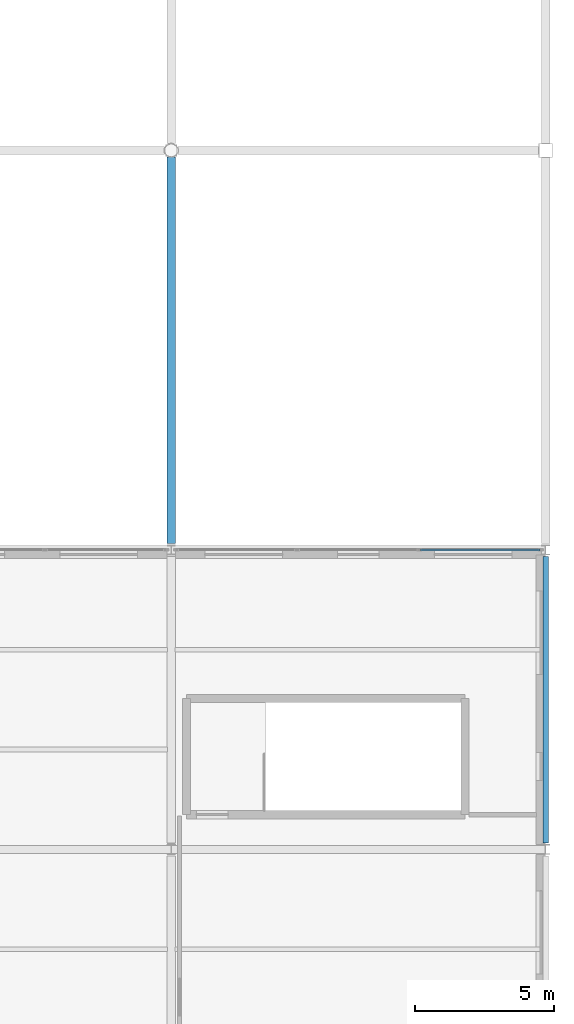
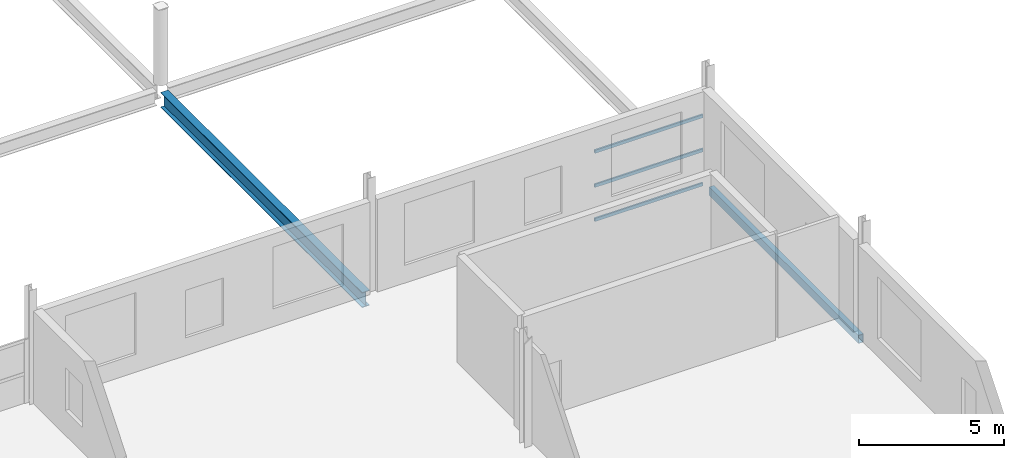
# One storey, part 93 of 134: 3 members, 2 beams, 1 element without a shape of its own.
"""IFC4 building model written with IfcOpenShell, lengths in metres."""

from ifc_helpers import new_model, si_unit, direction, frame, origin, origin_2d, place, context, subcontext, project, spatial, hollow_rectangle, i_section, extrude, material, layer, layer_set, material_profile, profile_set, type_object, element, aggregate, save


model = new_model("IFC4")

# Units and contexts
model_context = context("Model", 3, precision=1e-05, world=origin(), true_north=direction((0.0, 1.0)))
body_context = subcontext(model_context, "Body", "Model", "MODEL_VIEW")
ifc_project = project(units=[si_unit("LENGTHUNIT", "METRE"), si_unit("AREAUNIT", "SQUARE_METRE"), si_unit("VOLUMEUNIT", "CUBIC_METRE"), si_unit("PLANEANGLEUNIT", "RADIAN"), si_unit("MASSUNIT", "GRAM", prefix="KILO")], contexts=[model_context])

# Site, building, storey
site_placement = place(None, origin())
site = spatial("IfcSite", under=ifc_project, at=site_placement, CompositionType="ELEMENT")
building_placement = place(site_placement, origin())
building = spatial("IfcBuilding", under=site, at=building_placement, Name="Tamarisk Ironworks Central Station", CompositionType="ELEMENT")
storey_placement = place(building_placement, frame((0.0, 0.0, 12.60009765625)))
storey = spatial("IfcBuildingStorey", under=building, at=storey_placement, Name="L02", CompositionType="ELEMENT", Elevation=12.60009765625)

# Beams
ifc_material_1 = material(Name="Structural steel S355J2", Category="steel")
ifc_material_profile_1 = material_profile(ifc_material_1, i_section(OverallWidth=0.300048828125, OverallDepth=0.639892578125, WebThickness=0.013427734375, FlangeThickness=0.02587890625, at=origin_2d()), Name="HEA 650")
ifc_profile_set_1 = profile_set([ifc_material_profile_1], Name="Structural steel S355J2")
beam_type_1 = type_object("IfcBeamType", Name="BM-G02", PredefinedType="BEAM", material=ifc_profile_set_1)
beam_1_placement = place(storey_placement, frame((166.5, 21.837890625, -0.570068359375), z_axis=(0.0, 1.0, 0.0), x_axis=(-1.0, 0.0, 0.0)))
element("IfcBeam", 1, at=beam_1_placement, inside=storey, type_object=beam_type_1, Name="L02 primary girder Y-0523", PredefinedType="BEAM", context=body_context, shape_type="SweptSolid", body=[
    extrude(i_section(OverallWidth=0.300048828125, OverallDepth=0.639892578125, WebThickness=0.013427734375, FlangeThickness=0.02587890625, at=origin_2d()), origin(), (0.0, 0.0, 1.0), 13.920166015625),
])
ifc_material_profile_2 = material_profile(ifc_material_1, hollow_rectangle(XDim=0.199951171875, YDim=0.35009765625, WallThickness=0.012451171875, at=origin_2d()), Name="RHS 350x200x12.5")
ifc_profile_set_2 = profile_set([ifc_material_profile_2], Name="Structural steel S355J2")
beam_type_2 = type_object("IfcBeamType", Name="BM-SP01", PredefinedType="SPANDREL", material=ifc_profile_set_2)
beam_2_placement = place(storey_placement, frame((180.0, 11.0380859375, -0.425048828125), z_axis=(0.0, 1.0, 0.0), x_axis=(-1.0, 0.0, 0.0)))
element("IfcBeam", 2, at=beam_2_placement, inside=storey, type_object=beam_type_2, Name="L02 primary girder Y-0531", PredefinedType="SPANDREL", context=body_context, shape_type="SweptSolid", body=[
    extrude(hollow_rectangle(XDim=0.199951171875, YDim=0.35009765625, WallThickness=0.012451171875, at=origin_2d()), origin(), (0.0, 0.0, 1.0), 10.323974609375),
])

# Curtain wall, members
ifc_material_2 = material(Name="Anodized aluminium alloy 6063-T6", Category="aluminium")
ifc_layer = layer(ifc_material_2, 0.179931640625)
ifc_layer_set = layer_set([ifc_layer], Name="Anodized aluminium alloy 6063-T6")
curtain_wall_type = type_object("IfcCurtainWallType", Name="CW-07", PredefinedType="USERDEFINED", material=ifc_layer_set)
curtain_wall_placement = place(storey_placement, origin())
curtain_wall = element("IfcCurtainWall", 3, at=curtain_wall_placement, inside=storey, type_object=curtain_wall_type, Name="Train shed ES clerestory curtain wall 166", ObjectType="GLAZED CURTAIN WALL", PredefinedType="USERDEFINED")
ifc_material_profile_3 = material_profile(ifc_material_2, hollow_rectangle(XDim=0.06494140625, YDim=0.135009765625, WallThickness=0.00341796875, at=origin_2d()), Name="ALUM 135x65")
ifc_profile_set_3 = profile_set([ifc_material_profile_3], Name="Anodized aluminium alloy 6063-T6")
member_type = type_object("IfcMemberType", Name="CWT-02", PredefinedType="USERDEFINED", material=ifc_profile_set_3)
member_1_placement = place(storey_placement, frame((175.479248046875, 21.60009765625, -0.2275390625), z_axis=(1.0, 0.0, 0.0), x_axis=(0.0, 1.0, 0.0)))
member_1 = element("IfcMember", 4, at=member_1_placement, type_object=member_type, Name="CW07 transom 3.1", ObjectType="TRANSOM", PredefinedType="USERDEFINED", context=body_context, shape_type="SweptSolid", body=[
    extrude(hollow_rectangle(XDim=0.06494140625, YDim=0.135009765625, WallThickness=0.00341796875, at=origin_2d()), origin(), (0.0, 0.0, 1.0), 4.311767578125),
])
member_2_placement = place(storey_placement, frame((175.479248046875, 21.60009765625, 1.2099609375), z_axis=(1.0, 0.0, 0.0), x_axis=(0.0, 1.0, 0.0)))
member_2 = element("IfcMember", 5, at=member_2_placement, type_object=member_type, Name="CW07 transom 3.2", ObjectType="TRANSOM", PredefinedType="USERDEFINED", context=body_context, shape_type="SweptSolid", body=[
    extrude(hollow_rectangle(XDim=0.06494140625, YDim=0.135009765625, WallThickness=0.00341796875, at=origin_2d()), origin(), (0.0, 0.0, 1.0), 4.311767578125),
])
member_3_placement = place(storey_placement, frame((175.479248046875, 21.60009765625, 2.6474609375), z_axis=(1.0, 0.0, 0.0), x_axis=(0.0, 1.0, 0.0)))
member_3 = element("IfcMember", 6, at=member_3_placement, type_object=member_type, Name="CW07 transom 3.3", ObjectType="TRANSOM", PredefinedType="USERDEFINED", context=body_context, shape_type="SweptSolid", body=[
    extrude(hollow_rectangle(XDim=0.06494140625, YDim=0.135009765625, WallThickness=0.00341796875, at=origin_2d()), origin(), (0.0, 0.0, 1.0), 4.311767578125),
])
aggregate(curtain_wall, [member_1, member_2, member_3])

save(model, "model.ifc")
